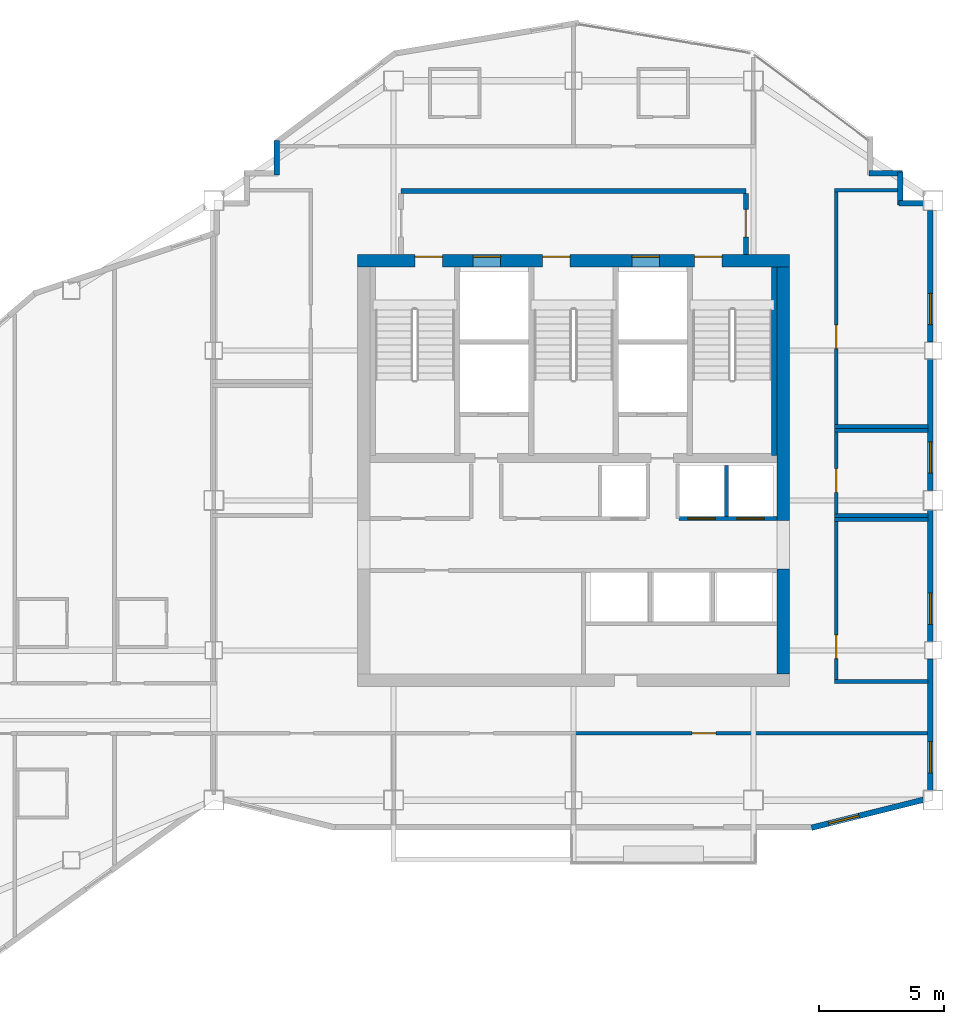
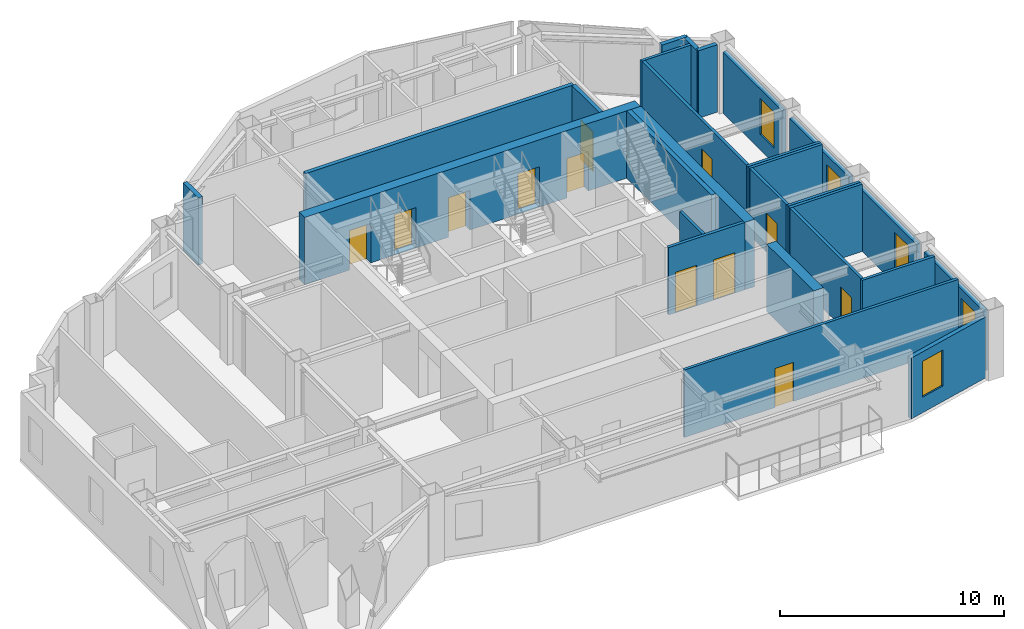
# One storey, part 7 of 9: 27 walls, 12 doors, 5 windows, 17 openings.
"""IFC4 building model written with IfcOpenShell, lengths in metres."""

from ifc_helpers import new_model, si_unit, direction, frame, frame_2d, origin, place, context, subcontext, project, spatial, rectangle, extrude, material, layer, layer_set, type_object, element, fill, save


model = new_model("IFC4")

# Units and contexts
model_context = context("Model", 3, precision=1e-05, world=origin(), true_north=direction((0.0, 1.0)))
body_context = subcontext(model_context, "Body", "Model", "MODEL_VIEW")
ifc_project = project(units=[si_unit("LENGTHUNIT", "METRE"), si_unit("AREAUNIT", "SQUARE_METRE"), si_unit("VOLUMEUNIT", "CUBIC_METRE"), si_unit("PLANEANGLEUNIT", "RADIAN"), si_unit("MASSUNIT", "GRAM", prefix="KILO")], contexts=[model_context])

# Site, building, storey
site_placement = place(None, origin())
site = spatial("IfcSite", under=ifc_project, at=site_placement, CompositionType="ELEMENT")
building_placement = place(site_placement, origin())
building = spatial("IfcBuilding", under=site, at=building_placement, Name="Haolan Belvedere Tower", CompositionType="ELEMENT")
storey_placement = place(building_placement, frame((0.0, 0.0, 269.85009765625)))
storey = spatial("IfcBuildingStorey", under=building, at=storey_placement, Name="L68", CompositionType="ELEMENT", Elevation=269.85009765625)

# Wall, openings, doors
ifc_material_1 = material(Name="Concrete C50/60", Category="concrete")
ifc_layer_1 = layer(ifc_material_1, 0.5, Name="Concrete C50/60")
ifc_layer_set_1 = layer_set([ifc_layer_1], Name="Concrete C50/60")
wall_type_1 = type_object("IfcWallType", Name="WL-CORE-500", PredefinedType="SHEAR", material=ifc_layer_set_1)
wall_1_placement = place(storey_placement, frame((29.75, 43.199951171875, 0.0), z_axis=(0.0, 0.0, 1.0), x_axis=(1.0, 0.0, 0.0)))
wall_1 = element("IfcWall", 1, at=wall_1_placement, inside=storey, type_object=wall_type_1, Name="L68 central core north shear wall", PredefinedType="SHEAR", context=body_context, shape_type="SweptSolid", body=[
    extrude(rectangle(XDim=17.300048828125, YDim=0.5, at=frame_2d((8.64990234375, 0.0))), origin(), (0.0, 0.0, 1.0), 3.669921875),
])
opening_1_placement = place(wall_1_placement, frame((2.300048828125, 0.0, 0.0)))
opening_1 = element("IfcOpeningElement", 2, at=opening_1_placement, cuts=wall_1, Name="Opening FD-03", PredefinedType="OPENING", context=body_context, shape_type="SweptSolid", body=[
    extrude(rectangle(XDim=1.10009765625, YDim=2.14990234375, at=frame_2d((0.550048828125, 1.074951171875))), frame((0.0, 0.260009765625, 0.0), z_axis=(0.0, -1.0, 0.0), x_axis=(1.0, 0.0, 0.0)), (0.0, 0.0, 1.0), 0.52001953125),
])
opening_2_placement = place(wall_1_placement, frame((7.409912109375, 0.0, 0.0)))
opening_2 = element("IfcOpeningElement", 3, at=opening_2_placement, cuts=wall_1, Name="Opening FD-03", PredefinedType="OPENING", context=body_context, shape_type="SweptSolid", body=[
    extrude(rectangle(XDim=1.10009765625, YDim=2.14990234375, at=frame_2d((0.550048828125, 1.074951171875))), frame((0.0, 0.260009765625, 0.0), z_axis=(0.0, -1.0, 0.0), x_axis=(1.0, 0.0, 0.0)), (0.0, 0.0, 1.0), 0.52001953125),
])
opening_3_placement = place(wall_1_placement, frame((13.5, 0.0, 0.0)))
opening_3 = element("IfcOpeningElement", 4, at=opening_3_placement, cuts=wall_1, Name="Opening FD-03", PredefinedType="OPENING", context=body_context, shape_type="SweptSolid", body=[
    extrude(rectangle(XDim=1.10009765625, YDim=2.14990234375, at=frame_2d((0.550048828125, 1.074951171875))), frame((0.0, 0.260009765625, 0.0), z_axis=(0.0, -1.0, 0.0), x_axis=(1.0, 0.0, 0.0)), (0.0, 0.0, 1.0), 0.52001953125),
])
opening_4_placement = place(wall_1_placement, frame((4.6298828125, 0.0, 0.0)))
opening_4 = element("IfcOpeningElement", 5, at=opening_4_placement, cuts=wall_1, Name="Opening LD-01", PredefinedType="OPENING", context=body_context, shape_type="SweptSolid", body=[
    extrude(rectangle(XDim=1.10009765625, YDim=2.199951171875, at=frame_2d((0.550048828125, 1.10009765625))), frame((0.0, 0.260009765625, 0.0), z_axis=(0.0, -1.0, 0.0), x_axis=(1.0, 0.0, 0.0)), (0.0, 0.0, 1.0), 0.52001953125),
])
opening_5_placement = place(wall_1_placement, frame((10.989990234375, 0.0, 0.0)))
opening_5 = element("IfcOpeningElement", 6, at=opening_5_placement, cuts=wall_1, Name="Opening LD-01", PredefinedType="OPENING", context=body_context, shape_type="SweptSolid", body=[
    extrude(rectangle(XDim=1.10009765625, YDim=2.199951171875, at=frame_2d((0.550048828125, 1.10009765625))), frame((0.0, 0.260009765625, 0.0), z_axis=(0.0, -1.0, 0.0), x_axis=(1.0, 0.0, 0.0)), (0.0, 0.0, 1.0), 0.52001953125),
])
ifc_material_2 = material(Name="Galvanised fire-rated steel", Category="steel")
door_type_1 = type_object("IfcDoorType", Name="DR-FD90-1100", OperationType="NOTDEFINED", PredefinedType="DOOR", material=ifc_material_2)
door_1_placement = place(opening_1_placement, origin())
door_1 = element("IfcDoor", 7, at=door_1_placement, inside=storey, type_object=door_type_1, Name="L68 door CD-L68-ST1", OperationType="SINGLE_SWING_LEFT", OverallHeight=2.14990234375, OverallWidth=1.10009765625, PredefinedType="DOOR", context=body_context, shape_type="SweptSolid", body=[
    extrude(rectangle(XDim=1.10009765625, YDim=2.14990234375, at=frame_2d((0.550048828125, 1.074951171875))), frame((0.0, 0.18505859375, 0.0), z_axis=(0.0, -1.0, 0.0), x_axis=(1.0, 0.0, 0.0)), (0.0, 0.0, 1.0), 0.050048828125),
])
fill(opening_1, door_1)
door_2_placement = place(opening_2_placement, origin())
door_2 = element("IfcDoor", 8, at=door_2_placement, inside=storey, type_object=door_type_1, Name="L68 door CD-L68-ST3", OperationType="SINGLE_SWING_LEFT", OverallHeight=2.14990234375, OverallWidth=1.10009765625, PredefinedType="DOOR", context=body_context, shape_type="SweptSolid", body=[
    extrude(rectangle(XDim=1.10009765625, YDim=2.14990234375, at=frame_2d((0.550048828125, 1.074951171875))), frame((0.0, 0.18505859375, 0.0), z_axis=(0.0, -1.0, 0.0), x_axis=(1.0, 0.0, 0.0)), (0.0, 0.0, 1.0), 0.050048828125),
])
fill(opening_2, door_2)
door_3_placement = place(opening_3_placement, origin())
door_3 = element("IfcDoor", 9, at=door_3_placement, inside=storey, type_object=door_type_1, Name="L68 door CD-L68-ST2", OperationType="SINGLE_SWING_RIGHT", OverallHeight=2.14990234375, OverallWidth=1.10009765625, PredefinedType="DOOR", context=body_context, shape_type="SweptSolid", body=[
    extrude(rectangle(XDim=1.10009765625, YDim=2.14990234375, at=frame_2d((0.550048828125, 1.074951171875))), frame((0.0, 0.18505859375, 0.0), z_axis=(0.0, -1.0, 0.0), x_axis=(1.0, 0.0, 0.0)), (0.0, 0.0, 1.0), 0.050048828125),
])
fill(opening_3, door_3)
ifc_material_3 = material(Name="Brushed champagne stainless steel 316L", Category="steel")
door_type_2 = type_object("IfcDoorType", Name="DR-LIFT-1100", OperationType="SLIDING_TO_LEFT", PredefinedType="DOOR", material=ifc_material_3)
door_4_placement = place(opening_4_placement, origin())
door_4 = element("IfcDoor", 10, at=door_4_placement, inside=storey, type_object=door_type_2, Name="L68 door LD-L68-FF1", OperationType="SLIDING_TO_LEFT", OverallHeight=2.199951171875, OverallWidth=1.10009765625, PredefinedType="DOOR", context=body_context, shape_type="SweptSolid", body=[
    extrude(rectangle(XDim=1.10009765625, YDim=2.199951171875, at=frame_2d((0.550048828125, 1.10009765625))), frame((0.0, 0.18505859375, 0.0), z_axis=(0.0, -1.0, 0.0), x_axis=(1.0, 0.0, 0.0)), (0.0, 0.0, 1.0), 0.050048828125),
])
fill(opening_4, door_4)
door_5_placement = place(opening_5_placement, origin())
door_5 = element("IfcDoor", 11, at=door_5_placement, inside=storey, type_object=door_type_2, Name="L68 door LD-L68-FF2", OperationType="SLIDING_TO_LEFT", OverallHeight=2.199951171875, OverallWidth=1.10009765625, PredefinedType="DOOR", context=body_context, shape_type="SweptSolid", body=[
    extrude(rectangle(XDim=1.10009765625, YDim=2.199951171875, at=frame_2d((0.550048828125, 1.10009765625))), frame((0.0, 0.18505859375, 0.0), z_axis=(0.0, -1.0, 0.0), x_axis=(1.0, 0.0, 0.0)), (0.0, 0.0, 1.0), 0.050048828125),
])
fill(opening_5, door_5)

# Walls
wall_2_placement = place(storey_placement, frame((46.800048828125, 26.64990234375, 0.0), z_axis=(0.0, 0.0, 1.0), x_axis=(0.0, 1.0, 0.0)))
element("IfcWall", 12, at=wall_2_placement, inside=storey, type_object=wall_type_1, Name="L68 central core shear wall ES", PredefinedType="SHEAR", context=body_context, shape_type="SweptSolid", body=[
    extrude(rectangle(XDim=4.2001953125, YDim=0.5, at=frame_2d((2.10009765625, 0.0))), origin(), (0.0, 0.0, 1.0), 3.669921875),
])
wall_3_placement = place(storey_placement, frame((46.800048828125, 32.800048828125, 0.0), z_axis=(0.0, 0.0, 1.0), x_axis=(0.0, 1.0, 0.0)))
element("IfcWall", 13, at=wall_3_placement, inside=storey, type_object=wall_type_1, Name="L68 central core shear wall EN", PredefinedType="SHEAR", context=body_context, shape_type="SweptSolid", body=[
    extrude(rectangle(XDim=10.14990234375, YDim=0.5, at=frame_2d((5.074951171875, 0.0))), origin(), (0.0, 0.0, 1.0), 3.669921875),
])

# Wall, opening, window
ifc_material_4 = material(Name="Precast concrete C40/50", Category="concrete")
ifc_layer_2 = layer(ifc_material_4, 0.219970703125, Name="Precast concrete C40/50")
ifc_layer_set_2 = layer_set([ifc_layer_2], Name="Precast concrete C40/50")
wall_type_2 = type_object("IfcWallType", Name="WL-EXT-220", PredefinedType="SOLIDWALL", material=ifc_layer_set_2)
wall_4_placement = place(storey_placement, frame((47.93310546875, 20.49658203125, 0.0), z_axis=(0.0, 0.0, 1.0), x_axis=(0.970133159038, 0.242572986408, 0.0)))
wall_4 = element("IfcWall", 14, at=wall_4_placement, inside=storey, type_object=wall_type_2, Name="L68 pale-metal exterior spandrel wall 2.1", PredefinedType="SOLIDWALL", context=body_context, shape_type="SweptSolid", body=[
    extrude(rectangle(XDim=4.612548828125, YDim=0.219970703125, at=frame_2d((2.30615234375, 0.0))), origin(), (0.0, 0.0, 1.0), 3.31494140625),
])
opening_6_placement = place(wall_4_placement, frame((0.699951171875, 0.0, 0.85009765625)))
opening_6 = element("IfcOpeningElement", 15, at=opening_6_placement, cuts=wall_4, Name="Opening W-04", PredefinedType="OPENING", context=body_context, shape_type="SweptSolid", body=[
    extrude(rectangle(XDim=1.25, YDim=1.949951171875, at=frame_2d((0.625, 0.97509765625))), frame((0.0, 0.119873046875, 0.0), z_axis=(0.0, -1.0, 0.0), x_axis=(1.0, 0.0, 0.0)), (0.0, 0.0, 1.0), 0.239990234375),
])
ifc_material_5 = material(Name="Anodised aluminium 6063-T6 and Low-E glass", Category="aluminium")
window_type = type_object("IfcWindowType", Name="WN-DECO-Z4", PartitioningType="SINGLE_PANEL", PredefinedType="WINDOW", material=ifc_material_5)
window_1_placement = place(opening_6_placement, origin())
window_1 = element("IfcWindow", 16, at=window_1_placement, inside=storey, type_object=window_type, Name="L68 Art Deco chevron window 1", OverallHeight=1.949951171875, OverallWidth=1.25, PartitioningType="SINGLE_PANEL", PredefinedType="WINDOW", context=body_context, shape_type="SweptSolid", body=[
    extrude(rectangle(XDim=1.25, YDim=1.949951171875, at=frame_2d((0.625, 0.97509765625))), frame((0.0, 0.030029296875, 0.0), z_axis=(0.0, -1.0, 0.0), x_axis=(1.0, 0.0, 0.0)), (0.0, 0.0, 1.0), 0.06005859375),
])
fill(opening_6, window_1)

wall_5_placement = place(storey_placement, frame((52.68994140625, 21.991943359375, 0.0), z_axis=(0.0, 0.0, 1.0), x_axis=(0.0, 1.0, 0.0)))
wall_5 = element("IfcWall", 17, at=wall_5_placement, inside=storey, type_object=wall_type_2, Name="L68 pale-metal exterior spandrel wall 3.1", PredefinedType="SOLIDWALL", context=body_context, shape_type="SweptSolid", body=[
    extrude(rectangle(XDim=5.26611328125, YDim=0.219970703125, at=frame_2d((2.633056640625, 0.0))), origin(), (0.0, 0.0, 1.0), 3.31494140625),
])
opening_7_placement = place(wall_5_placement, frame((0.699951171875, 0.0, 0.85009765625)))
opening_7 = element("IfcOpeningElement", 18, at=opening_7_placement, cuts=wall_5, Name="Opening W-04", PredefinedType="OPENING", context=body_context, shape_type="SweptSolid", body=[
    extrude(rectangle(XDim=1.25, YDim=1.949951171875, at=frame_2d((0.625, 0.97509765625))), frame((0.0, 0.119873046875, 0.0), z_axis=(0.0, -1.0, 0.0), x_axis=(1.0, 0.0, 0.0)), (0.0, 0.0, 1.0), 0.239990234375),
])
window_2_placement = place(opening_7_placement, origin())
window_2 = element("IfcWindow", 19, at=window_2_placement, inside=storey, type_object=window_type, Name="L68 Art Deco chevron window 1", OverallHeight=1.949951171875, OverallWidth=1.25, PartitioningType="SINGLE_PANEL", PredefinedType="WINDOW", context=body_context, shape_type="SweptSolid", body=[
    extrude(rectangle(XDim=1.25, YDim=1.949951171875, at=frame_2d((0.625, 0.97509765625))), frame((0.0, 0.030029296875, 0.0), z_axis=(0.0, -1.0, 0.0), x_axis=(1.0, 0.0, 0.0)), (0.0, 0.0, 1.0), 0.06005859375),
])
fill(opening_7, window_2)

wall_6_placement = place(storey_placement, frame((52.68994140625, 27.94189453125, 0.0), z_axis=(0.0, 0.0, 1.0), x_axis=(0.0, 1.0, 0.0)))
wall_6 = element("IfcWall", 20, at=wall_6_placement, inside=storey, type_object=wall_type_2, Name="L68 pale-metal exterior spandrel wall 3.2", PredefinedType="SOLIDWALL", context=body_context, shape_type="SweptSolid", body=[
    extrude(rectangle(XDim=5.26611328125, YDim=0.219970703125, at=frame_2d((2.633056640625, 0.0))), origin(), (0.0, 0.0, 1.0), 3.31494140625),
])
opening_8_placement = place(wall_6_placement, frame((0.699951171875, 0.0, 0.85009765625)))
opening_8 = element("IfcOpeningElement", 21, at=opening_8_placement, cuts=wall_6, Name="Opening W-04", PredefinedType="OPENING", context=body_context, shape_type="SweptSolid", body=[
    extrude(rectangle(XDim=1.25, YDim=1.949951171875, at=frame_2d((0.625, 0.97509765625))), frame((0.0, 0.119873046875, 0.0), z_axis=(0.0, -1.0, 0.0), x_axis=(1.0, 0.0, 0.0)), (0.0, 0.0, 1.0), 0.239990234375),
])
window_3_placement = place(opening_8_placement, origin())
window_3 = element("IfcWindow", 22, at=window_3_placement, inside=storey, type_object=window_type, Name="L68 Art Deco chevron window 1", OverallHeight=1.949951171875, OverallWidth=1.25, PartitioningType="SINGLE_PANEL", PredefinedType="WINDOW", context=body_context, shape_type="SweptSolid", body=[
    extrude(rectangle(XDim=1.25, YDim=1.949951171875, at=frame_2d((0.625, 0.97509765625))), frame((0.0, 0.030029296875, 0.0), z_axis=(0.0, -1.0, 0.0), x_axis=(1.0, 0.0, 0.0)), (0.0, 0.0, 1.0), 0.06005859375),
])
fill(opening_8, window_3)

wall_7_placement = place(storey_placement, frame((52.68994140625, 33.991943359375, 0.0), z_axis=(0.0, 0.0, 1.0), x_axis=(0.0, 1.0, 0.0)))
wall_7 = element("IfcWall", 23, at=wall_7_placement, inside=storey, type_object=wall_type_2, Name="L68 pale-metal exterior spandrel wall 3.3", PredefinedType="SOLIDWALL", context=body_context, shape_type="SweptSolid", body=[
    extrude(rectangle(XDim=5.26611328125, YDim=0.219970703125, at=frame_2d((2.633056640625, 0.0))), origin(), (0.0, 0.0, 1.0), 3.31494140625),
])
opening_9_placement = place(wall_7_placement, frame((0.699951171875, 0.0, 0.85009765625)))
opening_9 = element("IfcOpeningElement", 24, at=opening_9_placement, cuts=wall_7, Name="Opening W-04", PredefinedType="OPENING", context=body_context, shape_type="SweptSolid", body=[
    extrude(rectangle(XDim=1.25, YDim=1.949951171875, at=frame_2d((0.625, 0.97509765625))), frame((0.0, 0.119873046875, 0.0), z_axis=(0.0, -1.0, 0.0), x_axis=(1.0, 0.0, 0.0)), (0.0, 0.0, 1.0), 0.239990234375),
])
window_4_placement = place(opening_9_placement, origin())
window_4 = element("IfcWindow", 25, at=window_4_placement, inside=storey, type_object=window_type, Name="L68 Art Deco chevron window 1", OverallHeight=1.949951171875, OverallWidth=1.25, PartitioningType="SINGLE_PANEL", PredefinedType="WINDOW", context=body_context, shape_type="SweptSolid", body=[
    extrude(rectangle(XDim=1.25, YDim=1.949951171875, at=frame_2d((0.625, 0.97509765625))), frame((0.0, 0.030029296875, 0.0), z_axis=(0.0, -1.0, 0.0), x_axis=(1.0, 0.0, 0.0)), (0.0, 0.0, 1.0), 0.06005859375),
])
fill(opening_9, window_4)

wall_8_placement = place(storey_placement, frame((52.68994140625, 39.94189453125, 0.0), z_axis=(0.0, 0.0, 1.0), x_axis=(0.0, 1.0, 0.0)))
wall_8 = element("IfcWall", 26, at=wall_8_placement, inside=storey, type_object=wall_type_2, Name="L68 pale-metal exterior spandrel wall 3.4", PredefinedType="SOLIDWALL", context=body_context, shape_type="SweptSolid", body=[
    extrude(rectangle(XDim=5.26611328125, YDim=0.219970703125, at=frame_2d((2.633056640625, 0.0))), origin(), (0.0, 0.0, 1.0), 3.31494140625),
])
opening_10_placement = place(wall_8_placement, frame((0.699951171875, 0.0, 0.85009765625)))
opening_10 = element("IfcOpeningElement", 27, at=opening_10_placement, cuts=wall_8, Name="Opening W-04", PredefinedType="OPENING", context=body_context, shape_type="SweptSolid", body=[
    extrude(rectangle(XDim=1.25, YDim=1.949951171875, at=frame_2d((0.625, 0.97509765625))), frame((0.0, 0.119873046875, 0.0), z_axis=(0.0, -1.0, 0.0), x_axis=(1.0, 0.0, 0.0)), (0.0, 0.0, 1.0), 0.239990234375),
])
window_5_placement = place(opening_10_placement, origin())
window_5 = element("IfcWindow", 28, at=window_5_placement, inside=storey, type_object=window_type, Name="L68 Art Deco chevron window 1", OverallHeight=1.949951171875, OverallWidth=1.25, PartitioningType="SINGLE_PANEL", PredefinedType="WINDOW", context=body_context, shape_type="SweptSolid", body=[
    extrude(rectangle(XDim=1.25, YDim=1.949951171875, at=frame_2d((0.625, 0.97509765625))), frame((0.0, 0.030029296875, 0.0), z_axis=(0.0, -1.0, 0.0), x_axis=(1.0, 0.0, 0.0)), (0.0, 0.0, 1.0), 0.06005859375),
])
fill(opening_10, window_5)

# Walls
wall_9_placement = place(storey_placement, frame((52.407958984375, 45.489990234375, 0.0), z_axis=(0.0, 0.0, 1.0), x_axis=(-1.0, 0.0, 0.0)))
element("IfcWall", 29, at=wall_9_placement, inside=storey, type_object=wall_type_2, Name="L68 pale-metal exterior spandrel wall 4.1", PredefinedType="SOLIDWALL", context=body_context, shape_type="SweptSolid", body=[
    extrude(rectangle(XDim=0.972900390625, YDim=0.219970703125, at=frame_2d((0.486328125, 0.0))), origin(), (0.0, 0.0, 1.0), 3.669921875),
])
wall_10_placement = place(storey_placement, frame((51.489990234375, 45.43505859375, 0.0), z_axis=(0.0, 0.0, 1.0), x_axis=(0.0, 1.0, 0.0)))
element("IfcWall", 30, at=wall_10_placement, inside=storey, type_object=wall_type_2, Name="L68 pale-metal exterior spandrel wall 5.1", PredefinedType="SOLIDWALL", context=body_context, shape_type="SweptSolid", body=[
    extrude(rectangle(XDim=1.31005859375, YDim=0.219970703125, at=frame_2d((0.655029296875, 0.0))), origin(), (0.0, 0.0, 1.0), 3.669921875),
])
wall_11_placement = place(storey_placement, frame((51.544921875, 46.68994140625, 0.0), z_axis=(0.0, 0.0, 1.0), x_axis=(-1.0, 0.0, 0.0)))
element("IfcWall", 31, at=wall_11_placement, inside=storey, type_object=wall_type_2, Name="L68 pale-metal exterior spandrel wall 6.1", PredefinedType="SOLIDWALL", context=body_context, shape_type="SweptSolid", body=[
    extrude(rectangle(XDim=1.309814453125, YDim=0.219970703125, at=frame_2d((0.65478515625, 0.0))), origin(), (0.0, 0.0, 1.0), 3.669921875),
])
wall_12_placement = place(storey_placement, frame((26.510009765625, 48.0, 0.0), z_axis=(0.0, 0.0, 1.0), x_axis=(0.0, -1.0, 0.0)))
element("IfcWall", 32, at=wall_12_placement, inside=storey, type_object=wall_type_2, Name="L68 pale-metal exterior spandrel wall 12.1", PredefinedType="SOLIDWALL", context=body_context, shape_type="SweptSolid", body=[
    extrude(rectangle(XDim=1.364990234375, YDim=0.219970703125, at=frame_2d((0.6826171875, 0.0))), origin(), (0.0, 0.0, 1.0), 3.669921875),
])
ifc_material_6 = material(Name="Concrete C40/50", Category="concrete")
ifc_layer_3 = layer(ifc_material_6, 0.199951171875, Name="Concrete C40/50")
ifc_layer_set_3 = layer_set([ifc_layer_3], Name="Concrete C40/50")
wall_type_3 = type_object("IfcWallType", Name="WL-FIRE-200", PredefinedType="SOLIDWALL", material=ifc_layer_set_3)
wall_13_placement = place(storey_placement, frame((31.5, 45.97998046875, 0.0), z_axis=(0.0, 0.0, 1.0), x_axis=(1.0, 0.0, 0.0)))
element("IfcWall", 33, at=wall_13_placement, inside=storey, type_object=wall_type_3, Name="L68 interior partition IW-L68-FFL-N", PredefinedType="SOLIDWALL", context=body_context, shape_type="SweptSolid", body=[
    extrude(rectangle(XDim=13.800048828125, YDim=0.199951171875, at=frame_2d((6.89990234375, 0.0))), origin(), (0.0, 0.0, 1.0), 3.669921875),
])

# Wall, opening, door
wall_14_placement = place(storey_placement, frame((45.300048828125, 43.449951171875, 0.0), z_axis=(0.0, 0.0, 1.0), x_axis=(0.0, 1.0, 0.0)))
wall_14 = element("IfcWall", 34, at=wall_14_placement, inside=storey, type_object=wall_type_3, Name="L68 interior partition IW-L68-FFL-E", PredefinedType="SOLIDWALL", context=body_context, shape_type="SweptSolid", body=[
    extrude(rectangle(XDim=2.445068359375, YDim=0.199951171875, at=frame_2d((1.22265625, 0.0))), origin(), (0.0, 0.0, 1.0), 3.669921875),
])
opening_11_placement = place(wall_14_placement, frame((0.699951171875, 0.0, 0.0)))
opening_11 = element("IfcOpeningElement", 35, at=opening_11_placement, cuts=wall_14, Name="Opening FD-03", PredefinedType="OPENING", context=body_context, shape_type="SweptSolid", body=[
    extrude(rectangle(XDim=1.10009765625, YDim=2.14990234375, at=frame_2d((0.550048828125, 1.074951171875))), frame((0.0, 0.10986328125, 0.0), z_axis=(0.0, -1.0, 0.0), x_axis=(1.0, 0.0, 0.0)), (0.0, 0.0, 1.0), 0.219970703125),
])
door_6_placement = place(opening_11_placement, origin())
door_6 = element("IfcDoor", 36, at=door_6_placement, inside=storey, type_object=door_type_1, Name="L68 door ID-L68-FFL-DE", OperationType="SINGLE_SWING_RIGHT", OverallHeight=2.14990234375, OverallWidth=1.10009765625, PredefinedType="DOOR", context=body_context, shape_type="SweptSolid", body=[
    extrude(rectangle(XDim=1.10009765625, YDim=2.14990234375, at=frame_2d((0.550048828125, 1.074951171875))), frame((0.0, 0.02490234375, 0.0), z_axis=(0.0, -1.0, 0.0), x_axis=(1.0, 0.0, 0.0)), (0.0, 0.0, 1.0), 0.050048828125),
])
fill(opening_11, door_6)

# Walls
ifc_material_7 = material(Name="Double gypsum acoustic stud partition", Category="masonry")
ifc_layer_4 = layer(ifc_material_7, 0.14990234375, Name="Double gypsum acoustic stud partition")
ifc_layer_set_4 = layer_set([ifc_layer_4], Name="Double gypsum acoustic stud partition")
wall_type_4 = type_object("IfcWallType", Name="WL-PART-150", PredefinedType="PARTITIONING", material=ifc_layer_set_4)
for number, where, z_axis, x_axis, name in (
    (37, (48.840087890625, 36.39990234375, 0.0), (0.0, 0.0, 1.0), (1.0, 0.0, 0.0), "L68 interior partition IW-L68-AWC-N"),
    (38, (48.840087890625, 33.0, 0.0), (0.0, 0.0, 1.0), (1.0, 0.0, 0.0), "L68 interior partition IW-L68-AWC-S"),
):
    element("IfcWall", number, at=place(storey_placement, frame(where, z_axis=z_axis, x_axis=x_axis)), inside=storey, type_object=wall_type_4, Name=name, PredefinedType="PARTITIONING", context=body_context, shape_type="SweptSolid", body=[
        extrude(rectangle(XDim=3.747802734375, YDim=0.14990234375, at=frame_2d((1.8740234375, 0.0))), origin(), (0.0, 0.0, 1.0), 3.669921875),
    ])

# Wall, opening, door
wall_15_placement = place(storey_placement, frame((48.919921875, 33.06005859375, 0.0), z_axis=(0.0, 0.0, 1.0), x_axis=(0.0, 1.0, 0.0)))
wall_15 = element("IfcWall", 39, at=wall_15_placement, inside=storey, type_object=wall_type_4, Name="L68 interior partition IW-L68-AWC-W", PredefinedType="PARTITIONING", context=body_context, shape_type="SweptSolid", body=[
    extrude(rectangle(XDim=3.280029296875, YDim=0.14990234375, at=frame_2d((1.64013671875, 0.0))), origin(), (0.0, 0.0, 1.0), 3.669921875),
])
opening_12_placement = place(wall_15_placement, frame((0.860107421875, 0.0, 0.0)))
opening_12 = element("IfcOpeningElement", 40, at=opening_12_placement, cuts=wall_15, Name="Opening ID-03", PredefinedType="OPENING", context=body_context, shape_type="SweptSolid", body=[
    extrude(rectangle(XDim=0.949951171875, YDim=2.1201171875, at=frame_2d((0.47509765625, 1.06005859375))), frame((0.0, 0.0849609375, 0.0), z_axis=(0.0, -1.0, 0.0), x_axis=(1.0, 0.0, 0.0)), (0.0, 0.0, 1.0), 0.169921875),
])
ifc_material_8 = material(Name="Painted solid-core timber", Category="wood")
door_type_3 = type_object("IfcDoorType", Name="DR-INT-950", OperationType="NOTDEFINED", PredefinedType="DOOR", material=ifc_material_8)
door_7_placement = place(opening_12_placement, origin())
door_7 = element("IfcDoor", 41, at=door_7_placement, inside=storey, type_object=door_type_3, Name="L68 door ID-L68-AWC", OperationType="SINGLE_SWING_RIGHT", OverallHeight=2.1201171875, OverallWidth=0.949951171875, PredefinedType="DOOR", context=body_context, shape_type="SweptSolid", body=[
    extrude(rectangle(XDim=0.949951171875, YDim=2.1201171875, at=frame_2d((0.47509765625, 1.06005859375))), frame((0.0, 0.02490234375, 0.0), z_axis=(0.0, -1.0, 0.0), x_axis=(1.0, 0.0, 0.0)), (0.0, 0.0, 1.0), 0.050048828125),
])
fill(opening_12, door_7)

# Walls
wall_16_placement = place(storey_placement, frame((48.840087890625, 46.02001953125, 0.0), z_axis=(0.0, 0.0, 1.0), x_axis=(1.0, 0.0, 0.0)))
element("IfcWall", 42, at=wall_16_placement, inside=storey, type_object=wall_type_4, Name="L68 interior partition IW-L68-SAL-N", PredefinedType="PARTITIONING", context=body_context, shape_type="SweptSolid", body=[
    extrude(rectangle(XDim=2.5478515625, YDim=0.14990234375, at=frame_2d((1.27392578125, 0.0))), origin(), (0.0, 0.0, 1.0), 3.669921875),
])
wall_17_placement = place(storey_placement, frame((48.840087890625, 36.56005859375, 0.0), z_axis=(0.0, 0.0, 1.0), x_axis=(1.0, 0.0, 0.0)))
element("IfcWall", 43, at=wall_17_placement, inside=storey, type_object=wall_type_4, Name="L68 interior partition IW-L68-SAL-S", PredefinedType="PARTITIONING", context=body_context, shape_type="SweptSolid", body=[
    extrude(rectangle(XDim=3.747802734375, YDim=0.14990234375, at=frame_2d((1.8740234375, 0.0))), origin(), (0.0, 0.0, 1.0), 3.669921875),
])

# Wall, opening, door
wall_18_placement = place(storey_placement, frame((48.919921875, 36.6201171875, 0.0), z_axis=(0.0, 0.0, 1.0), x_axis=(0.0, 1.0, 0.0)))
wall_18 = element("IfcWall", 44, at=wall_18_placement, inside=storey, type_object=wall_type_4, Name="L68 interior partition IW-L68-SAL-W", PredefinedType="PARTITIONING", context=body_context, shape_type="SweptSolid", body=[
    extrude(rectangle(XDim=9.33984375, YDim=0.14990234375, at=frame_2d((4.669921875, 0.0))), origin(), (0.0, 0.0, 1.0), 3.669921875),
])
opening_13_placement = place(wall_18_placement, frame((3.06005859375, 0.0, 0.0)))
opening_13 = element("IfcOpeningElement", 45, at=opening_13_placement, cuts=wall_18, Name="Opening ID-03", PredefinedType="OPENING", context=body_context, shape_type="SweptSolid", body=[
    extrude(rectangle(XDim=0.949951171875, YDim=2.1201171875, at=frame_2d((0.47509765625, 1.06005859375))), frame((0.0, 0.0849609375, 0.0), z_axis=(0.0, -1.0, 0.0), x_axis=(1.0, 0.0, 0.0)), (0.0, 0.0, 1.0), 0.169921875),
])
door_8_placement = place(opening_13_placement, origin())
door_8 = element("IfcDoor", 46, at=door_8_placement, inside=storey, type_object=door_type_3, Name="L68 door ID-L68-SAL", OperationType="SINGLE_SWING_LEFT", OverallHeight=2.1201171875, OverallWidth=0.949951171875, PredefinedType="DOOR", context=body_context, shape_type="SweptSolid", body=[
    extrude(rectangle(XDim=0.949951171875, YDim=2.1201171875, at=frame_2d((0.47509765625, 1.06005859375))), frame((0.0, 0.02490234375, 0.0), z_axis=(0.0, -1.0, 0.0), x_axis=(1.0, 0.0, 0.0)), (0.0, 0.0, 1.0), 0.050048828125),
])
fill(opening_13, door_8)

# Walls
for number, where, z_axis, x_axis, name in (
    (47, (48.840087890625, 32.840087890625, 0.0), (0.0, 0.0, 1.0), (1.0, 0.0, 0.0), "L68 interior partition IW-L68-PKTE-N"),
    (48, (48.840087890625, 26.35009765625, 0.0), (0.0, 0.0, 1.0), (1.0, 0.0, 0.0), "L68 interior partition IW-L68-PKTE-S"),
):
    element("IfcWall", number, at=place(storey_placement, frame(where, z_axis=z_axis, x_axis=x_axis)), inside=storey, type_object=wall_type_4, Name=name, PredefinedType="PARTITIONING", context=body_context, shape_type="SweptSolid", body=[
        extrude(rectangle(XDim=3.747802734375, YDim=0.14990234375, at=frame_2d((1.8740234375, 0.0))), origin(), (0.0, 0.0, 1.0), 3.669921875),
    ])

# Wall, opening, door
wall_19_placement = place(storey_placement, frame((48.919921875, 26.409912109375, 0.0), z_axis=(0.0, 0.0, 1.0), x_axis=(0.0, 1.0, 0.0)))
wall_19 = element("IfcWall", 49, at=wall_19_placement, inside=storey, type_object=wall_type_4, Name="L68 interior partition IW-L68-PKTE-W", PredefinedType="PARTITIONING", context=body_context, shape_type="SweptSolid", body=[
    extrude(rectangle(XDim=6.3701171875, YDim=0.14990234375, at=frame_2d((3.18505859375, 0.0))), origin(), (0.0, 0.0, 1.0), 3.669921875),
])
opening_14_placement = place(wall_19_placement, frame((0.860107421875, 0.0, 0.0)))
opening_14 = element("IfcOpeningElement", 50, at=opening_14_placement, cuts=wall_19, Name="Opening ID-03", PredefinedType="OPENING", context=body_context, shape_type="SweptSolid", body=[
    extrude(rectangle(XDim=0.949951171875, YDim=2.1201171875, at=frame_2d((0.47509765625, 1.06005859375))), frame((0.0, 0.0849609375, 0.0), z_axis=(0.0, -1.0, 0.0), x_axis=(1.0, 0.0, 0.0)), (0.0, 0.0, 1.0), 0.169921875),
])
door_9_placement = place(opening_14_placement, origin())
door_9 = element("IfcDoor", 51, at=door_9_placement, inside=storey, type_object=door_type_3, Name="L68 door ID-L68-PKTE", OperationType="SINGLE_SWING_RIGHT", OverallHeight=2.1201171875, OverallWidth=0.949951171875, PredefinedType="DOOR", context=body_context, shape_type="SweptSolid", body=[
    extrude(rectangle(XDim=0.949951171875, YDim=2.1201171875, at=frame_2d((0.47509765625, 1.06005859375))), frame((0.0, 0.02490234375, 0.0), z_axis=(0.0, -1.0, 0.0), x_axis=(1.0, 0.0, 0.0)), (0.0, 0.0, 1.0), 0.050048828125),
])
fill(opening_14, door_9)

wall_20_placement = place(storey_placement, frame((38.48193359375, 24.280029296875, 0.0), z_axis=(0.0, 0.0, 1.0), x_axis=(1.0, 0.0, 0.0)))
wall_20 = element("IfcWall", 52, at=wall_20_placement, inside=storey, type_object=wall_type_4, Name="L68 interior partition IW-L68-KS3-N", PredefinedType="PARTITIONING", context=body_context, shape_type="SweptSolid", body=[
    extrude(rectangle(XDim=14.10595703125, YDim=0.14990234375, at=frame_2d((7.052978515625, 0.0))), origin(), (0.0, 0.0, 1.0), 3.669921875),
])
opening_15_placement = place(wall_20_placement, frame((5.617919921875, 0.0, 0.0), z_axis=(0.0, 0.0, 1.0), x_axis=(-1.0, 0.0, 0.0)))
opening_15 = element("IfcOpeningElement", 53, at=opening_15_placement, cuts=wall_20, Name="Opening ID-03", PredefinedType="OPENING", context=body_context, shape_type="SweptSolid", body=[
    extrude(rectangle(XDim=0.949951171875, YDim=2.1201171875, at=frame_2d((0.47509765625, 1.06005859375))), frame((0.0, 0.0849609375, 0.0), z_axis=(0.0, -1.0, 0.0), x_axis=(1.0, 0.0, 0.0)), (0.0, 0.0, 1.0), 0.169921875),
])
door_10_placement = place(opening_15_placement, origin())
door_10 = element("IfcDoor", 54, at=door_10_placement, inside=storey, type_object=door_type_3, Name="L68 door ID-L68-KS3", OperationType="SINGLE_SWING_RIGHT", OverallHeight=2.1201171875, OverallWidth=0.949951171875, PredefinedType="DOOR", context=body_context, shape_type="SweptSolid", body=[
    extrude(rectangle(XDim=0.949951171875, YDim=2.1201171875, at=frame_2d((0.47509765625, 1.06005859375))), frame((0.0, 0.02490234375, 0.0), z_axis=(0.0, -1.0, 0.0), x_axis=(1.0, 0.0, 0.0)), (0.0, 0.0, 1.0), 0.050048828125),
])
fill(opening_15, door_10)

# Wall, openings, doors
ifc_material_9 = material(Name="Gypsum fire shaftwall assembly", Category="masonry")
ifc_layer_5 = layer(ifc_material_9, 0.1650390625, Name="Gypsum fire shaftwall assembly")
ifc_layer_set_5 = layer_set([ifc_layer_5], Name="Gypsum fire shaftwall assembly")
wall_type_5 = type_object("IfcWallType", Name="WL-SHAFT-160", PredefinedType="SOLIDWALL", material=ifc_layer_set_5)
wall_21_placement = place(storey_placement, frame((42.6298828125, 32.8798828125, 0.0), z_axis=(0.0, 0.0, 1.0), x_axis=(1.0, 0.0, 0.0)))
wall_21 = element("IfcWall", 55, at=wall_21_placement, inside=storey, type_object=wall_type_5, Name="L68 interior partition IW-L68-ROW-PN3", PredefinedType="SOLIDWALL", context=body_context, shape_type="SweptSolid", body=[
    extrude(rectangle(XDim=3.920166015625, YDim=0.159912109375, at=frame_2d((1.9599609375, 0.0))), origin(), (0.0, 0.0, 1.0), 3.669921875),
])
opening_16_placement = place(wall_21_placement, frame((1.4501953125, 0.0, 0.0), z_axis=(0.0, 0.0, 1.0), x_axis=(-1.0, 0.0, 0.0)))
opening_16 = element("IfcOpeningElement", 56, at=opening_16_placement, cuts=wall_21, Name="Opening LD-01", PredefinedType="OPENING", context=body_context, shape_type="SweptSolid", body=[
    extrude(rectangle(XDim=1.10009765625, YDim=2.199951171875, at=frame_2d((0.550048828125, 1.10009765625))), frame((0.0, 0.08984375, 0.0), z_axis=(0.0, -1.0, 0.0), x_axis=(1.0, 0.0, 0.0)), (0.0, 0.0, 1.0), 0.179931640625),
])
opening_17_placement = place(wall_21_placement, frame((3.41015625, 0.0, 0.0), z_axis=(0.0, 0.0, 1.0), x_axis=(-1.0, 0.0, 0.0)))
opening_17 = element("IfcOpeningElement", 57, at=opening_17_placement, cuts=wall_21, Name="Opening LD-01", PredefinedType="OPENING", context=body_context, shape_type="SweptSolid", body=[
    extrude(rectangle(XDim=1.10009765625, YDim=2.199951171875, at=frame_2d((0.550048828125, 1.10009765625))), frame((0.0, 0.08984375, 0.0), z_axis=(0.0, -1.0, 0.0), x_axis=(1.0, 0.0, 0.0)), (0.0, 0.0, 1.0), 0.179931640625),
])
door_11_placement = place(opening_16_placement, origin())
door_11 = element("IfcDoor", 58, at=door_11_placement, inside=storey, type_object=door_type_2, Name="L68 door ID-L68-LD-PH2", OperationType="SLIDING_TO_RIGHT", OverallHeight=2.199951171875, OverallWidth=1.10009765625, PredefinedType="DOOR", context=body_context, shape_type="SweptSolid", body=[
    extrude(rectangle(XDim=1.10009765625, YDim=2.199951171875, at=frame_2d((0.550048828125, 1.10009765625))), frame((0.0, 0.02490234375, 0.0), z_axis=(0.0, -1.0, 0.0), x_axis=(1.0, 0.0, 0.0)), (0.0, 0.0, 1.0), 0.050048828125),
])
fill(opening_16, door_11)
door_12_placement = place(opening_17_placement, origin())
door_12 = element("IfcDoor", 59, at=door_12_placement, inside=storey, type_object=door_type_2, Name="L68 door ID-L68-LD-PH3", OperationType="SLIDING_TO_RIGHT", OverallHeight=2.199951171875, OverallWidth=1.10009765625, PredefinedType="DOOR", context=body_context, shape_type="SweptSolid", body=[
    extrude(rectangle(XDim=1.10009765625, YDim=2.199951171875, at=frame_2d((0.550048828125, 1.10009765625))), frame((0.0, 0.02490234375, 0.0), z_axis=(0.0, -1.0, 0.0), x_axis=(1.0, 0.0, 0.0)), (0.0, 0.0, 1.0), 0.050048828125),
])
fill(opening_17, door_12)

# Walls
wall_22_placement = place(storey_placement, frame((44.530029296875, 32.949951171875, 0.0), z_axis=(0.0, 0.0, 1.0), x_axis=(0.0, 1.0, 0.0)))
element("IfcWall", 60, at=wall_22_placement, inside=storey, type_object=wall_type_5, Name="L68 interior partition IW-L68-DIV-PH2", PredefinedType="SOLIDWALL", context=body_context, shape_type="SweptSolid", body=[
    extrude(rectangle(XDim=2.050048828125, YDim=0.14990234375, at=frame_2d((1.02490234375, 0.0))), origin(), (0.0, 0.0, 1.0), 3.669921875),
])
ifc_layer_6 = layer(ifc_material_1, 0.219970703125, Name="Concrete C50/60")
ifc_layer_set_6 = layer_set([ifc_layer_6], Name="Concrete C50/60")
wall_type_6 = type_object("IfcWallType", Name="WL-STAIR-220", PredefinedType="SHEAR", material=ifc_layer_set_6)
wall_23_placement = place(storey_placement, frame((46.43798828125, 35.389892578125, 0.0), z_axis=(0.0, 0.0, 1.0), x_axis=(0.0, 1.0, 0.0)))
element("IfcWall", 61, at=wall_23_placement, inside=storey, type_object=wall_type_6, Name="L68 structural stair core wall ST2E", PredefinedType="SHEAR", context=body_context, shape_type="SweptSolid", body=[
    extrude(rectangle(XDim=7.56005859375, YDim=0.219970703125, at=frame_2d((3.780029296875, 0.0))), origin(), (0.0, 0.0, 1.0), 3.669921875),
])

save(model, "model.ifc")
